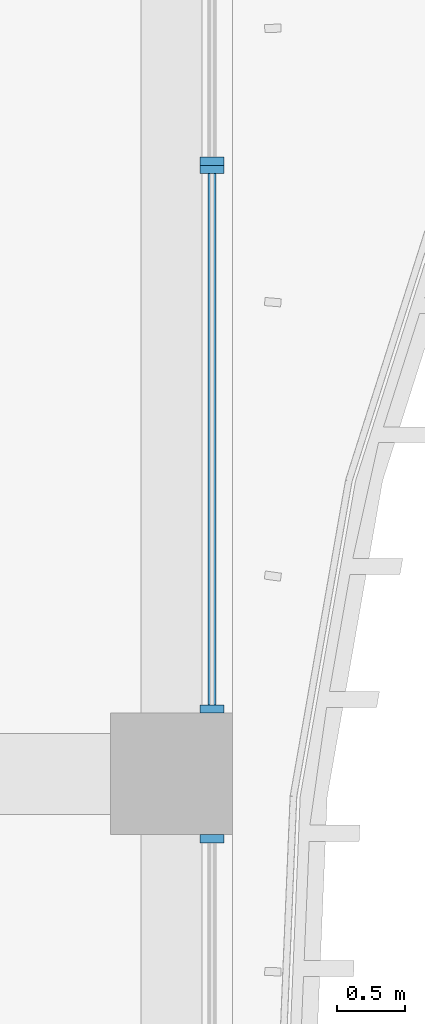
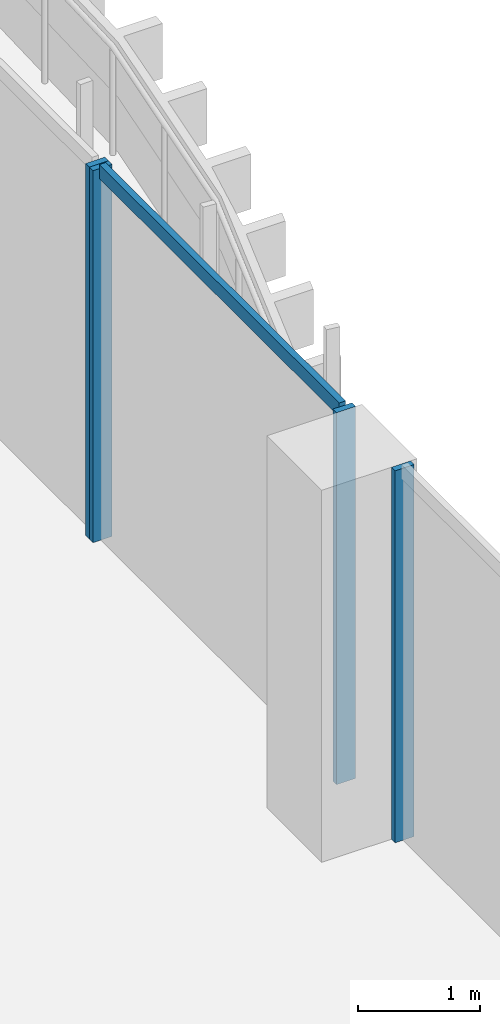
# One storey, part 7 of 27: 5 members, 3 elements without a shape of their own.
"""IFC4 building model written with IfcOpenShell, lengths in metres."""

from ifc_helpers import new_model, si_unit, direction, frame, origin, origin_2d, place, context, subcontext, project, spatial, rectangle, extrude, source, transform, mapped, material, material_profile, profile_set, type_object, element, aggregate, save


model = new_model("IFC4")

# Units and contexts
model_context = context("Model", 3, precision=1e-05, world=origin(), true_north=direction((0.0, 1.0)))
body_context = subcontext(model_context, "Body", "Model", "MODEL_VIEW")
ifc_project = project(units=[si_unit("LENGTHUNIT", "METRE"), si_unit("AREAUNIT", "SQUARE_METRE"), si_unit("VOLUMEUNIT", "CUBIC_METRE"), si_unit("PLANEANGLEUNIT", "RADIAN"), si_unit("MASSUNIT", "GRAM", prefix="KILO")], contexts=[model_context])

# Site, building, storey
site_placement = place(None, origin())
site = spatial("IfcSite", under=ifc_project, at=site_placement, CompositionType="ELEMENT")
building_placement = place(site_placement, origin())
building = spatial("IfcBuilding", under=site, at=building_placement, Name="Kilnfold Tower and Market Hall", CompositionType="ELEMENT")
storey_placement = place(building_placement, frame((0.0, 0.0, 71.199951171875)))
storey = spatial("IfcBuildingStorey", under=building, at=storey_placement, Name="L16", CompositionType="ELEMENT", Elevation=71.199951171875)

# Curtain wall, member
ifc_material_1 = material(Name="Aluminium and double glazing", Category="aluminium")
curtain_wall_type = type_object("IfcCurtainWallType", Name="CW OF1 VALLEY GLAZING", PredefinedType="NOTDEFINED", material=ifc_material_1)
curtain_wall_1_placement = place(storey_placement, origin())
curtain_wall_1 = element("IfcCurtainWall", 1, at=curtain_wall_1_placement, inside=storey, type_object=curtain_wall_type, Name="Curtain wall CW1 L16 E", PredefinedType="NOTDEFINED")
ifc_material_2 = material(Name="Aluminium", Category="aluminium")
ifc_material_profile_1 = material_profile(ifc_material_2, rectangle(XDim=0.06005859375, YDim=0.179931640625, at=origin_2d()), Name="MULLION 60x180")
ifc_profile_set_1 = profile_set([ifc_material_profile_1], Name="Aluminium")
member_type_1 = type_object("IfcMemberType", Name="MULLION 60X180", PredefinedType="MULLION", material=ifc_profile_set_1)
shared_shape_1 = source(origin(), body_context, "Body", "SweptSolid", [
    extrude(rectangle(XDim=0.06005859375, YDim=0.179931640625, at=origin_2d()), origin(), (0.0, 0.0, 1.0), 3.719970703125),
])
member_1_placement = place(storey_placement, frame((32.85009765625, -1.47998046875, 0.0), z_axis=(0.0, 0.0, 1.0), x_axis=(0.0, 1.0, 0.0)))
member_1 = element("IfcMember", 2, at=member_1_placement, type_object=member_type_1, Name="CW1 mullion 2", PredefinedType="MULLION", context=body_context, shape_type="MappedRepresentation", body=[
    mapped(shared_shape_1, transform((0.0, 0.0, 0.0))),
])
aggregate(curtain_wall_1, [member_1])

# Curtain wall, members
curtain_wall_2_placement = place(storey_placement, origin())
curtain_wall_2 = element("IfcCurtainWall", 3, at=curtain_wall_2_placement, inside=storey, type_object=curtain_wall_type, Name="Curtain wall CW1 L16 E", PredefinedType="NOTDEFINED")
member_2_placement = place(storey_placement, frame((32.85009765625, -0.52001953125, 0.0), z_axis=(0.0, 0.0, 1.0), x_axis=(0.0, 1.0, 0.0)))
member_2 = element("IfcMember", 4, at=member_2_placement, type_object=member_type_1, Name="CW1 mullion 1", PredefinedType="MULLION", context=body_context, shape_type="MappedRepresentation", body=[
    mapped(shared_shape_1, transform((0.0, 0.0, 0.0))),
])
member_3_placement = place(storey_placement, frame((32.85009765625, 3.469970703125, 0.0), z_axis=(0.0, 0.0, 1.0), x_axis=(0.0, 1.0, 0.0)))
member_3 = element("IfcMember", 5, at=member_3_placement, type_object=member_type_1, Name="CW1 mullion 2", PredefinedType="MULLION", context=body_context, shape_type="MappedRepresentation", body=[
    mapped(shared_shape_1, transform((0.0, 0.0, 0.0))),
])

# Curtain wall, member
curtain_wall_3_placement = place(storey_placement, origin())
curtain_wall_3 = element("IfcCurtainWall", 6, at=curtain_wall_3_placement, inside=storey, type_object=curtain_wall_type, Name="Curtain wall CW1 L16 E", PredefinedType="NOTDEFINED")
member_4_placement = place(storey_placement, frame((32.85009765625, 3.530029296875, 0.0), z_axis=(0.0, 0.0, 1.0), x_axis=(0.0, 1.0, 0.0)))
member_4 = element("IfcMember", 7, at=member_4_placement, type_object=member_type_1, Name="CW1 mullion 1", PredefinedType="MULLION", context=body_context, shape_type="MappedRepresentation", body=[
    mapped(shared_shape_1, transform((0.0, 0.0, 0.0))),
])
aggregate(curtain_wall_3, [member_4])

# Member
ifc_material_3 = material(Name="Aluminium", Category="aluminium")
ifc_material_profile_2 = material_profile(ifc_material_3, rectangle(XDim=0.06005859375, YDim=0.139892578125, at=origin_2d()), Name="TRANSOM 60x140")
ifc_profile_set_2 = profile_set([ifc_material_profile_2], Name="Aluminium")
member_type_2 = type_object("IfcMemberType", Name="TRANSOM 60X140", PredefinedType="USERDEFINED", material=ifc_profile_set_2)
shared_shape_2 = source(origin(), body_context, "Body", "SweptSolid", [
    extrude(rectangle(XDim=0.06005859375, YDim=0.139892578125, at=origin_2d()), origin(), (0.0, 0.0, 1.0), 3.929931640625),
])
member_5_placement = place(storey_placement, frame((32.85009765625, -0.489990234375, 3.68994140625), z_axis=(0.0, 1.0, 0.0), x_axis=(-1.0, 0.0, 0.0)))
member_5 = element("IfcMember", 8, at=member_5_placement, type_object=member_type_2, Name="CW1 transom 1.2", ObjectType="TRANSOM", PredefinedType="USERDEFINED", context=body_context, shape_type="MappedRepresentation", body=[
    mapped(shared_shape_2, transform((0.0, 0.0, 0.0))),
])

aggregate(curtain_wall_2, [member_2, member_3, member_5])

save(model, "model.ifc")
